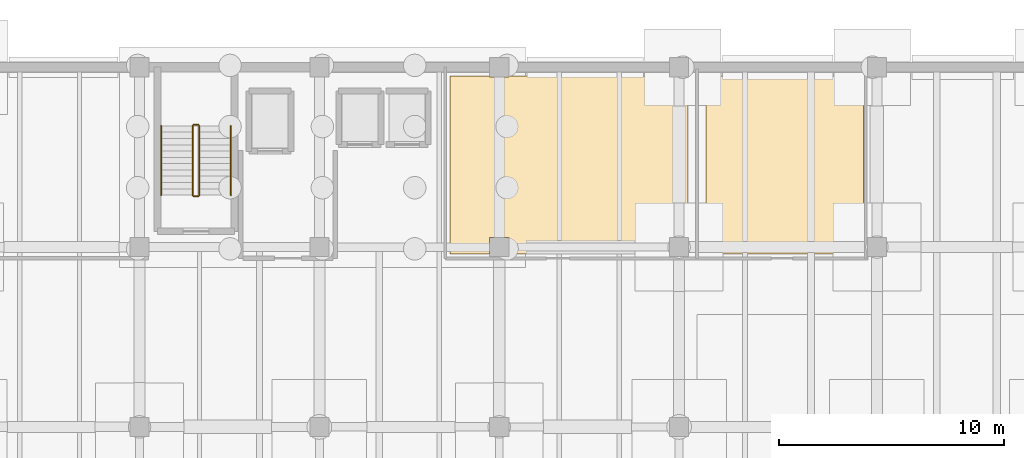
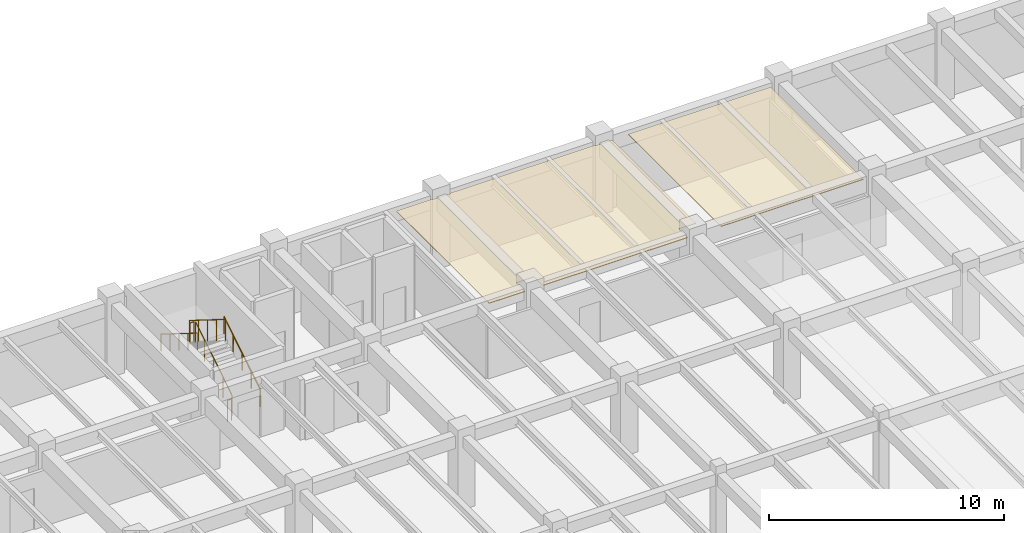
# One storey, part 20 of 25: 6 railings, 2 coverings.
"""IFC4 building model written with IfcOpenShell, lengths in metres."""

from ifc_helpers import new_model, si_unit, direction, frame, origin, origin_2d, place, context, subcontext, project, spatial, polyline, circle, outline, extrude, material, layer, layer_set, type_object, element, save


model = new_model("IFC4")

# Units and contexts
model_context = context("Model", 3, precision=1e-05, world=origin(), true_north=direction((0.0, 1.0)))
body_context = subcontext(model_context, "Body", "Model", "MODEL_VIEW")
ifc_project = project(units=[si_unit("LENGTHUNIT", "METRE"), si_unit("AREAUNIT", "SQUARE_METRE"), si_unit("VOLUMEUNIT", "CUBIC_METRE"), si_unit("PLANEANGLEUNIT", "RADIAN"), si_unit("MASSUNIT", "GRAM", prefix="KILO")], contexts=[model_context])

# Site, building, storey
site_placement = place(None, origin())
site = spatial("IfcSite", under=ifc_project, at=site_placement, CompositionType="ELEMENT")
building_placement = place(site_placement, origin())
building = spatial("IfcBuilding", under=site, at=building_placement, Name="Tlaxcora Railside Police Headquarters", CompositionType="ELEMENT")
storey_placement = place(building_placement, frame((0.0, 0.0, -4.199951171875)))
storey = spatial("IfcBuildingStorey", under=building, at=storey_placement, Name="B1", CompositionType="ELEMENT", Elevation=-4.199951171875)

# Coverings
ifc_material_1 = material(Name="Mineral-fibre acoustic ceiling tile")
ifc_layer = layer(ifc_material_1, 0.034912109375, Name="Mineral-fibre acoustic ceiling tile")
ifc_layer_set = layer_set([ifc_layer], Name="Mineral-fibre acoustic ceiling tile")
covering_type = type_object("IfcCoveringType", Name="Acoustic Suspended Ceiling CLG-01", PredefinedType="CEILING", material=ifc_layer_set)
covering_1_placement = place(storey_placement, frame((0.0, 0.0, 3.68505859375)))
element("IfcCovering", 1, at=covering_1_placement, inside=storey, type_object=covering_type, Name="Staff Locker Room and Showers suspended ceiling", PredefinedType="CEILING", context=body_context, shape_type="SweptSolid", body=[
    extrude(outline(polyline([(37.635009765625, 85.235107421875), (37.635009765625, 84.5), (44.764892578125, 84.5), (44.764892578125, 85.235107421875), (45.60009765625, 85.235107421875), (45.60009765625, 92.364990234375), (44.764892578125, 92.364990234375), (44.764892578125, 92.39990234375), (37.635009765625, 92.39990234375), (37.635009765625, 92.364990234375), (36.764892578125, 92.364990234375), (36.764892578125, 92.39990234375), (35.0, 92.39990234375), (35.0, 84.5), (36.764892578125, 84.5), (36.764892578125, 85.235107421875), (37.635009765625, 85.235107421875)])), origin(), (0.0, 0.0, 1.0), 0.034912109375),
])
covering_2_placement = place(storey_placement, frame((0.0, 0.0, 3.68505859375)))
element("IfcCovering", 2, at=covering_2_placement, inside=storey, type_object=covering_type, Name="Accessible WC and Staff Restroom B1 suspended ceiling", PredefinedType="CEILING", context=body_context, shape_type="SweptSolid", body=[
    extrude(outline(polyline([(46.39990234375, 92.39990234375), (46.39990234375, 84.5), (53.39990234375, 84.5), (53.39990234375, 92.39990234375), (46.39990234375, 92.39990234375)])), origin(), (0.0, 0.0, 1.0), 0.034912109375),
])

# Railings
ifc_material_2 = material(Name="Steel ASTM A992 Grade 50", Category="steel")
railing_type_1 = type_object("IfcRailingType", Name="Stair Well Guard Balustrade GR-02", PredefinedType="BALUSTRADE", material=ifc_material_2)
railing_1_placement = place(storey_placement, frame((23.860107421875, 87.110107421875, 0.175048828125)))
element("IfcRailing", 3, at=railing_1_placement, inside=storey, type_object=railing_type_1, Name="B1 ST1 stair guard 1", PredefinedType="BALUSTRADE", context=body_context, shape_type="SweptSolid", body=[
    extrude(circle(Radius=0.02392578125, at=origin_2d()), frame((0.0, 0.0, 1.09619140625), z_axis=(0.0, 0.848009633417, 0.529980812513), x_axis=(-1.0, 0.0, 0.0)), (0.0, 0.0, 1.0), 3.6318359375),
    extrude(circle(Radius=0.02099609375, at=origin_2d()), origin(), (0.0, 0.0, 1.0), 1.072021484375),
    extrude(circle(Radius=0.02099609375, at=origin_2d()), frame((0.0, 0.77001953125, 0.481201171875)), (0.0, 0.0, 1.0), 1.072021484375),
    extrude(circle(Radius=0.02099609375, at=origin_2d()), frame((0.0, 1.5400390625, 0.96240234375)), (0.0, 0.0, 1.0), 1.072021484375),
    extrude(circle(Radius=0.02099609375, at=origin_2d()), frame((0.0, 2.309814453125, 1.443603515625)), (0.0, 0.0, 1.0), 1.072021484375),
    extrude(circle(Radius=0.02099609375, at=origin_2d()), frame((0.0, 3.079833984375, 1.9248046875)), (0.0, 0.0, 1.0), 1.072021484375),
])
railing_2_placement = place(storey_placement, frame((23.81005859375, 90.239990234375, 2.099853515625)))
element("IfcRailing", 4, at=railing_2_placement, inside=storey, type_object=railing_type_1, Name="B1 ST1 stair guard 2", PredefinedType="BALUSTRADE", context=body_context, shape_type="SweptSolid", body=[
    extrude(circle(Radius=0.02392578125, at=origin_2d()), frame((0.0, 0.0, 1.09619140625), z_axis=(-1.0, 0.0, 0.0), x_axis=(0.0, -1.0, 0.0)), (0.0, 0.0, 1.0), 0.199951171875),
    extrude(circle(Radius=0.02099609375, at=origin_2d()), origin(), (0.0, 0.0, 1.0), 1.072021484375),
    extrude(circle(Radius=0.02099609375, at=origin_2d()), frame((-0.199951171875, 0.0, 0.0)), (0.0, 0.0, 1.0), 1.072021484375),
])
railing_3_placement = place(storey_placement, frame((23.56005859375, 90.18994140625, 2.27490234375)))
element("IfcRailing", 5, at=railing_3_placement, inside=storey, type_object=railing_type_1, Name="B1 ST1 stair guard 3", PredefinedType="BALUSTRADE", context=body_context, shape_type="SweptSolid", body=[
    extrude(circle(Radius=0.02392578125, at=origin_2d()), frame((0.0, 0.0, 1.09619140625), z_axis=(0.0, -0.847979421464, 0.530029150871), x_axis=(1.0, 0.0, 0.0)), (0.0, 0.0, 1.0), 3.632080078125),
    extrude(circle(Radius=0.02099609375, at=origin_2d()), origin(), (0.0, 0.0, 1.0), 1.072021484375),
    extrude(circle(Radius=0.02099609375, at=origin_2d()), frame((0.0, -0.77001953125, 0.481201171875)), (0.0, 0.0, 1.0), 1.072021484375),
    extrude(circle(Radius=0.02099609375, at=origin_2d()), frame((0.0, -1.5400390625, 0.96240234375)), (0.0, 0.0, 1.0), 1.072021484375),
    extrude(circle(Radius=0.02099609375, at=origin_2d()), frame((0.0, -2.309814453125, 1.44384765625)), (0.0, 0.0, 1.0), 1.072021484375),
    extrude(circle(Radius=0.02099609375, at=origin_2d()), frame((0.0, -3.079833984375, 1.925048828125)), (0.0, 0.0, 1.0), 1.072021484375),
])
railing_4_placement = place(storey_placement, frame((23.81005859375, 87.06005859375, 0.0)))
element("IfcRailing", 6, at=railing_4_placement, inside=storey, type_object=railing_type_1, Name="B1 ST1 stair guard 4", PredefinedType="BALUSTRADE", context=body_context, shape_type="SweptSolid", body=[
    extrude(circle(Radius=0.02392578125, at=origin_2d()), frame((0.0, 0.0, 1.09619140625), z_axis=(-1.0, 0.0, 0.0), x_axis=(0.0, -1.0, 0.0)), (0.0, 0.0, 1.0), 0.199951171875),
    extrude(circle(Radius=0.02099609375, at=origin_2d()), origin(), (0.0, 0.0, 1.0), 1.072021484375),
    extrude(circle(Radius=0.02099609375, at=origin_2d()), frame((-0.199951171875, 0.0, 0.0)), (0.0, 0.0, 1.0), 1.072021484375),
])
railing_type_2 = type_object("IfcRailingType", Name="Stair and Ramp Handrail HR-01", PredefinedType="HANDRAIL", material=ifc_material_2)
railing_5_placement = place(storey_placement, frame((25.260009765625, 87.110107421875, 0.175048828125)))
element("IfcRailing", 7, at=railing_5_placement, inside=storey, type_object=railing_type_2, Name="B1 ST1 stair handrail 1", PredefinedType="HANDRAIL", context=body_context, shape_type="SweptSolid", body=[
    extrude(circle(Radius=0.02392578125, at=origin_2d()), frame((0.0, 0.0, 0.8759765625), z_axis=(0.0, 0.848009633417, 0.529980812513), x_axis=(-1.0, 0.0, 0.0)), (0.0, 0.0, 1.0), 3.6318359375),
    extrude(circle(Radius=0.02099609375, at=origin_2d()), origin(), (0.0, 0.0, 1.0), 0.851806640625),
    extrude(circle(Radius=0.02099609375, at=origin_2d()), frame((0.0, 0.77001953125, 0.481201171875)), (0.0, 0.0, 1.0), 0.851806640625),
    extrude(circle(Radius=0.02099609375, at=origin_2d()), frame((0.0, 1.5400390625, 0.96240234375)), (0.0, 0.0, 1.0), 0.851806640625),
    extrude(circle(Radius=0.02099609375, at=origin_2d()), frame((0.0, 2.309814453125, 1.443603515625)), (0.0, 0.0, 1.0), 0.851806640625),
    extrude(circle(Radius=0.02099609375, at=origin_2d()), frame((0.0, 3.079833984375, 1.9248046875)), (0.0, 0.0, 1.0), 0.851806640625),
])
railing_6_placement = place(storey_placement, frame((22.159912109375, 90.18994140625, 2.27490234375)))
element("IfcRailing", 8, at=railing_6_placement, inside=storey, type_object=railing_type_2, Name="B1 ST1 stair handrail 2", PredefinedType="HANDRAIL", context=body_context, shape_type="SweptSolid", body=[
    extrude(circle(Radius=0.02392578125, at=origin_2d()), frame((0.0, 0.0, 0.8759765625), z_axis=(0.0, -0.847979421464, 0.530029150871), x_axis=(1.0, 0.0, 0.0)), (0.0, 0.0, 1.0), 3.632080078125),
    extrude(circle(Radius=0.02099609375, at=origin_2d()), origin(), (0.0, 0.0, 1.0), 0.851806640625),
    extrude(circle(Radius=0.02099609375, at=origin_2d()), frame((0.0, -0.77001953125, 0.481201171875)), (0.0, 0.0, 1.0), 0.851806640625),
    extrude(circle(Radius=0.02099609375, at=origin_2d()), frame((0.0, -1.5400390625, 0.96240234375)), (0.0, 0.0, 1.0), 0.851806640625),
    extrude(circle(Radius=0.02099609375, at=origin_2d()), frame((0.0, -2.309814453125, 1.44384765625)), (0.0, 0.0, 1.0), 0.851806640625),
    extrude(circle(Radius=0.02099609375, at=origin_2d()), frame((0.0, -3.079833984375, 1.925048828125)), (0.0, 0.0, 1.0), 0.851806640625),
])

save(model, "model.ifc")
